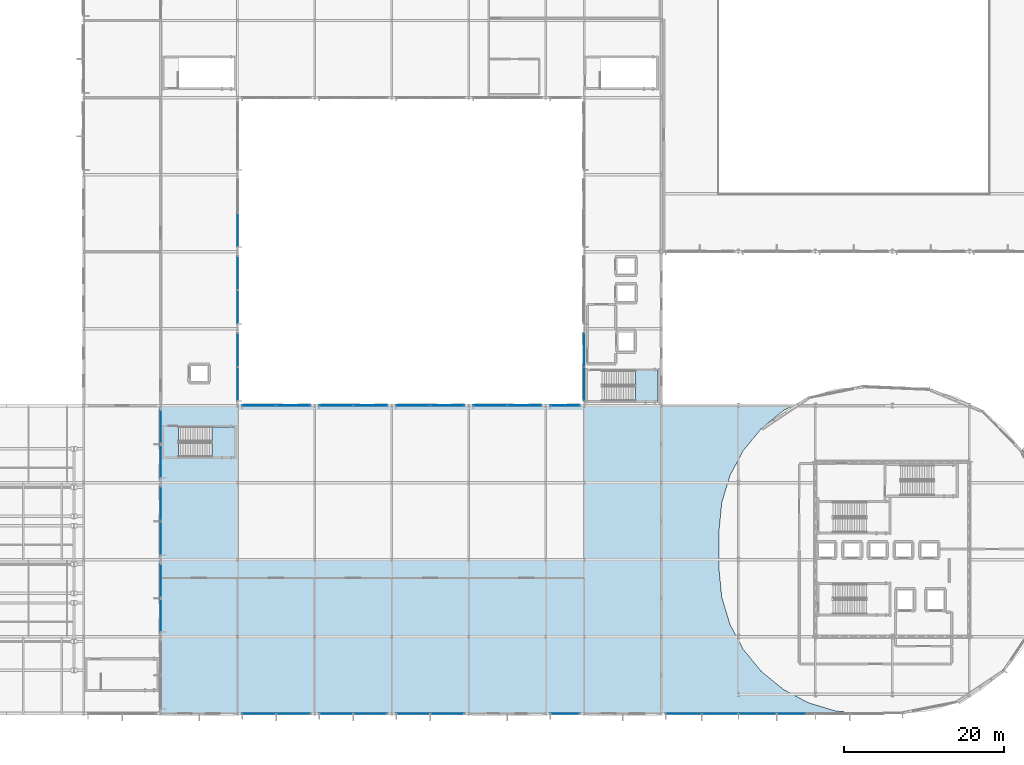
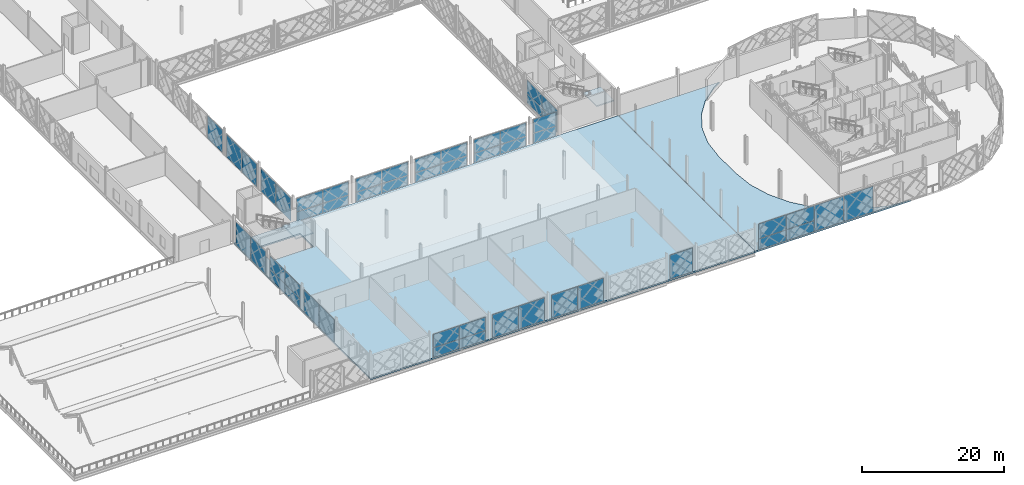
# One storey, part 41 of 77: 50 plates, 4 slabs, 20 elements without a shape of their own.
"""IFC4 building model written with IfcOpenShell, lengths in metres."""

from ifc_helpers import new_model, si_unit, direction, frame, origin, origin_2d, place, context, subcontext, project, spatial, polyline, rectangle, outline, extrude, material, layer, layer_set, type_object, element, aggregate, save


model = new_model("IFC4")

# Units and contexts
model_context = context("Model", 3, precision=1e-05, world=origin(), true_north=direction((0.0, 1.0)))
body_context = subcontext(model_context, "Body", "Model", "MODEL_VIEW")
ifc_project = project(units=[si_unit("LENGTHUNIT", "METRE"), si_unit("AREAUNIT", "SQUARE_METRE"), si_unit("VOLUMEUNIT", "CUBIC_METRE"), si_unit("PLANEANGLEUNIT", "RADIAN"), si_unit("MASSUNIT", "GRAM", prefix="KILO")], contexts=[model_context])

# Site, building, storey
site_placement = place(None, origin())
site = spatial("IfcSite", under=ifc_project, at=site_placement, CompositionType="ELEMENT")
building_placement = place(site_placement, origin())
building = spatial("IfcBuilding", under=site, at=building_placement, Name="Zevrakil Square Congress Hotel", CompositionType="ELEMENT")
storey_placement = place(building_placement, frame((0.0, 0.0, 9.89990234375)))
storey = spatial("IfcBuildingStorey", under=building, at=storey_placement, Name="L03", CompositionType="ELEMENT", Elevation=9.89990234375)

# Curtain wall, plates
ifc_material_1 = material(Name="Aluminium Anodised Bronze", Category="aluminium")
ifc_layer_1 = layer(ifc_material_1, 0.179931640625)
ifc_layer_set_1 = layer_set([ifc_layer_1], Name="Aluminium Anodised Bronze")
curtain_wall_type_1 = type_object("IfcCurtainWallType", Name="CW-L03-840", PredefinedType="USERDEFINED", material=ifc_layer_set_1)
curtain_wall_1_placement = place(storey_placement, origin())
curtain_wall_1 = element("IfcCurtainWall", 1, at=curtain_wall_1_placement, inside=storey, type_object=curtain_wall_type_1, Name="L03 diamond curtain wall CW-L03-0006", ObjectType="GLAZED CURTAIN WALL", PredefinedType="USERDEFINED")
ifc_material_2 = material(Name="Low-E Solar Control Double Glazing", Category="glass")
ifc_layer_2 = layer(ifc_material_2, 0.028076171875)
ifc_layer_set_2 = layer_set([ifc_layer_2], Name="Low-E Solar Control Double Glazing")
plate_type_1 = type_object("IfcPlateType", Name="CWP-GLAZ-28", PredefinedType="CURTAIN_PANEL", material=ifc_layer_set_2)
plate_1_placement = place(storey_placement, frame((67.47509765625, 7.199951171875, 0.06005859375), z_axis=(0.0, 0.0, 1.0), x_axis=(1.0, 0.0, 0.0)))
plate_1 = element("IfcPlate", 2, at=plate_1_placement, type_object=plate_type_1, Name="CW-35 panel 1.1", PredefinedType="CURTAIN_PANEL", context=body_context, shape_type="SweptSolid", body=[
    extrude(rectangle(XDim=4.18994140625, YDim=0.028076171875, at=origin_2d()), origin(), (0.0, 0.0, 1.0), 1.625732421875),
])
plate_2_placement = place(storey_placement, frame((71.72509765625, 7.199951171875, 1.745849609375), z_axis=(0.0, 0.0, 1.0), x_axis=(1.0, 0.0, 0.0)))
plate_2 = element("IfcPlate", 3, at=plate_2_placement, type_object=plate_type_1, Name="CW-35 panel 2.2", PredefinedType="CURTAIN_PANEL", context=body_context, shape_type="SweptSolid", body=[
    extrude(rectangle(XDim=4.18994140625, YDim=0.028076171875, at=origin_2d()), origin(), (0.0, 0.0, 1.0), 2.279296875),
])

# Curtain wall, plate
curtain_wall_2_placement = place(storey_placement, origin())
curtain_wall_2 = element("IfcCurtainWall", 4, at=curtain_wall_2_placement, inside=storey, type_object=curtain_wall_type_1, Name="L03 diamond curtain wall CW-L03-0009", ObjectType="GLAZED CURTAIN WALL", PredefinedType="USERDEFINED")
plate_3_placement = place(storey_placement, frame((86.675048828125, 7.199951171875, 0.06005859375), z_axis=(0.0, 0.0, 1.0), x_axis=(1.0, 0.0, 0.0)))
plate_3 = element("IfcPlate", 5, at=plate_3_placement, type_object=plate_type_1, Name="CW-35 panel 1.1", PredefinedType="CURTAIN_PANEL", context=body_context, shape_type="SweptSolid", body=[
    extrude(rectangle(XDim=4.18994140625, YDim=0.028076171875, at=origin_2d()), origin(), (0.0, 0.0, 1.0), 3.965087890625),
])

ifc_material_3 = material(Name="Aluminium Anodised Bronze", Category="aluminium")
ifc_layer_3 = layer(ifc_material_3, 0.179931640625)
ifc_layer_set_3 = layer_set([ifc_layer_3], Name="Aluminium Anodised Bronze")
curtain_wall_type_2 = type_object("IfcCurtainWallType", Name="CW-L03-360", PredefinedType="USERDEFINED", material=ifc_layer_set_3)
curtain_wall_3_placement = place(storey_placement, origin())
curtain_wall_3 = element("IfcCurtainWall", 6, at=curtain_wall_3_placement, inside=storey, type_object=curtain_wall_type_2, Name="L03 diamond curtain wall CW-L03-0011", ObjectType="GLAZED CURTAIN WALL", PredefinedType="USERDEFINED")
plate_4_placement = place(storey_placement, frame((105.60009765625, 7.199951171875, 0.06005859375), z_axis=(0.0, 0.0, 1.0), x_axis=(1.0, 0.0, 0.0)))
plate_4 = element("IfcPlate", 7, at=plate_4_placement, type_object=plate_type_1, Name="CW-28 panel 1.1", PredefinedType="CURTAIN_PANEL", context=body_context, shape_type="SweptSolid", body=[
    extrude(rectangle(XDim=3.639892578125, YDim=0.028076171875, at=origin_2d()), origin(), (0.0, 0.0, 1.0), 4.094970703125),
])
aggregate(curtain_wall_3, [plate_4])

# Curtain wall, plates
ifc_material_4 = material(Name="Aluminium Anodised Bronze", Category="aluminium")
ifc_layer_4 = layer(ifc_material_4, 0.179931640625)
ifc_layer_set_4 = layer_set([ifc_layer_4], Name="Aluminium Anodised Bronze")
curtain_wall_type_3 = type_object("IfcCurtainWallType", Name="CW-L03-900", PredefinedType="USERDEFINED", material=ifc_layer_set_4)
curtain_wall_4_placement = place(storey_placement, origin())
curtain_wall_4 = element("IfcCurtainWall", 8, at=curtain_wall_4_placement, inside=storey, type_object=curtain_wall_type_3, Name="L03 diamond curtain wall CW-L03-0014", ObjectType="GLAZED CURTAIN WALL", PredefinedType="USERDEFINED")
plate_5_placement = place(storey_placement, frame((120.404296875, 7.199951171875, 0.06005859375), z_axis=(0.0, 0.0, 1.0), x_axis=(1.0, 0.0, 0.0)))
plate_5 = element("IfcPlate", 9, at=plate_5_placement, type_object=plate_type_1, Name="CW-36 panel 1.1", PredefinedType="CURTAIN_PANEL", context=body_context, shape_type="SweptSolid", body=[
    extrude(rectangle(XDim=4.448486328125, YDim=0.028076171875, at=origin_2d()), origin(), (0.0, 0.0, 1.0), 1.81689453125),
])
plate_6_placement = place(storey_placement, frame((124.912841796875, 7.199951171875, 0.06005859375), z_axis=(0.0, 0.0, 1.0), x_axis=(1.0, 0.0, 0.0)))
plate_6 = element("IfcPlate", 10, at=plate_6_placement, type_object=plate_type_1, Name="CW-36 panel 2.1", PredefinedType="CURTAIN_PANEL", context=body_context, shape_type="SweptSolid", body=[
    extrude(rectangle(XDim=4.448486328125, YDim=0.028076171875, at=origin_2d()), origin(), (0.0, 0.0, 1.0), 1.81689453125),
])

# Curtain wall, plate
curtain_wall_5_placement = place(storey_placement, origin())
curtain_wall_5 = element("IfcCurtainWall", 11, at=curtain_wall_5_placement, inside=storey, type_object=curtain_wall_type_3, Name="L03 diamond curtain wall CW-L03-0015", ObjectType="GLAZED CURTAIN WALL", PredefinedType="USERDEFINED")
plate_7_placement = place(storey_placement, frame((134.383544921875, 7.199951171875, 0.06005859375), z_axis=(0.0, 0.0, 1.0), x_axis=(1.0, 0.0, 0.0)))
plate_7 = element("IfcPlate", 12, at=plate_7_placement, type_object=plate_type_1, Name="CW-36 panel 2.1", PredefinedType="CURTAIN_PANEL", context=body_context, shape_type="SweptSolid", body=[
    extrude(rectangle(XDim=4.70703125, YDim=0.028076171875, at=origin_2d()), origin(), (0.0, 0.0, 1.0), 4.419921875),
])

curtain_wall_6_placement = place(storey_placement, origin())
curtain_wall_6 = element("IfcCurtainWall", 13, at=curtain_wall_6_placement, inside=storey, type_object=curtain_wall_type_1, Name="L03 diamond curtain wall CW-L03-0033", ObjectType="GLAZED CURTAIN WALL", PredefinedType="USERDEFINED")
plate_8_placement = place(storey_placement, frame((55.199951171875, 23.72509765625, 0.06005859375), z_axis=(0.0, 0.0, 1.0), x_axis=(0.0, 1.0, 0.0)))
plate_8 = element("IfcPlate", 14, at=plate_8_placement, type_object=plate_type_1, Name="CW-35 panel 2.1", PredefinedType="CURTAIN_PANEL", context=body_context, shape_type="SweptSolid", body=[
    extrude(rectangle(XDim=4.18994140625, YDim=0.028076171875, at=origin_2d()), origin(), (0.0, 0.0, 1.0), 3.905029296875),
])

# Curtain wall, plates
curtain_wall_7_placement = place(storey_placement, origin())
curtain_wall_7 = element("IfcCurtainWall", 15, at=curtain_wall_7_placement, inside=storey, type_object=curtain_wall_type_1, Name="L03 diamond curtain wall CW-L03-0034", ObjectType="GLAZED CURTAIN WALL", PredefinedType="USERDEFINED")
plate_9_placement = place(storey_placement, frame((55.199951171875, 29.074951171875, 0.06005859375), z_axis=(0.0, 0.0, 1.0), x_axis=(0.0, 1.0, 0.0)))
plate_9 = element("IfcPlate", 16, at=plate_9_placement, type_object=plate_type_1, Name="CW-35 panel 1.1", PredefinedType="CURTAIN_PANEL", context=body_context, shape_type="SweptSolid", body=[
    extrude(rectangle(XDim=4.18994140625, YDim=0.028076171875, at=origin_2d()), origin(), (0.0, 0.0, 1.0), 1.6005859375),
])
plate_10_placement = place(storey_placement, frame((55.199951171875, 33.324951171875, 0.06005859375), z_axis=(0.0, 0.0, 1.0), x_axis=(0.0, 1.0, 0.0)))
plate_10 = element("IfcPlate", 17, at=plate_10_placement, type_object=plate_type_1, Name="CW-35 panel 2.1", PredefinedType="CURTAIN_PANEL", context=body_context, shape_type="SweptSolid", body=[
    extrude(rectangle(XDim=4.18994140625, YDim=0.028076171875, at=origin_2d()), origin(), (0.0, 0.0, 1.0), 1.6005859375),
])

# Curtain wall, plate
curtain_wall_8_placement = place(storey_placement, origin())
curtain_wall_8 = element("IfcCurtainWall", 18, at=curtain_wall_8_placement, inside=storey, type_object=curtain_wall_type_1, Name="L03 diamond curtain wall CW-L03-0035", ObjectType="GLAZED CURTAIN WALL", PredefinedType="USERDEFINED")
plate_11_placement = place(storey_placement, frame((55.199951171875, 42.925048828125, 0.06005859375), z_axis=(0.0, 0.0, 1.0), x_axis=(0.0, 1.0, 0.0)))
plate_11 = element("IfcPlate", 19, at=plate_11_placement, type_object=plate_type_1, Name="CW-35 panel 2.1", PredefinedType="CURTAIN_PANEL", context=body_context, shape_type="SweptSolid", body=[
    extrude(rectangle(XDim=4.18994140625, YDim=0.028076171875, at=origin_2d()), origin(), (0.0, 0.0, 1.0), 3.905029296875),
])

curtain_wall_9_placement = place(storey_placement, origin())
curtain_wall_9 = element("IfcCurtainWall", 20, at=curtain_wall_9_placement, inside=storey, type_object=curtain_wall_type_1, Name="L03 diamond curtain wall CW-L03-0100", ObjectType="GLAZED CURTAIN WALL", PredefinedType="USERDEFINED")
plate_12_placement = place(storey_placement, frame((67.47509765625, 45.60009765625, 1.745849609375), z_axis=(0.0, 0.0, 1.0), x_axis=(1.0, 0.0, 0.0)))
plate_12 = element("IfcPlate", 21, at=plate_12_placement, type_object=plate_type_1, Name="CW-35 panel 1.2", PredefinedType="CURTAIN_PANEL", context=body_context, shape_type="SweptSolid", body=[
    extrude(rectangle(XDim=4.18994140625, YDim=0.028076171875, at=origin_2d()), origin(), (0.0, 0.0, 1.0), 2.279296875),
])

# Curtain wall, plates
curtain_wall_10_placement = place(storey_placement, origin())
curtain_wall_10 = element("IfcCurtainWall", 22, at=curtain_wall_10_placement, inside=storey, type_object=curtain_wall_type_1, Name="L03 diamond curtain wall CW-L03-0104", ObjectType="GLAZED CURTAIN WALL", PredefinedType="USERDEFINED")
plate_13_placement = place(storey_placement, frame((77.074951171875, 45.60009765625, 0.06005859375), z_axis=(0.0, 0.0, 1.0), x_axis=(1.0, 0.0, 0.0)))
plate_13 = element("IfcPlate", 23, at=plate_13_placement, type_object=plate_type_1, Name="CW-35 panel 1.1", PredefinedType="CURTAIN_PANEL", context=body_context, shape_type="SweptSolid", body=[
    extrude(rectangle(XDim=4.18994140625, YDim=0.028076171875, at=origin_2d()), origin(), (0.0, 0.0, 1.0), 1.625732421875),
])
plate_14_placement = place(storey_placement, frame((81.324951171875, 45.60009765625, 0.06005859375), z_axis=(0.0, 0.0, 1.0), x_axis=(1.0, 0.0, 0.0)))
plate_14 = element("IfcPlate", 24, at=plate_14_placement, type_object=plate_type_1, Name="CW-35 panel 2.1", PredefinedType="CURTAIN_PANEL", context=body_context, shape_type="SweptSolid", body=[
    extrude(rectangle(XDim=4.18994140625, YDim=0.028076171875, at=origin_2d()), origin(), (0.0, 0.0, 1.0), 1.625732421875),
])

curtain_wall_11_placement = place(storey_placement, origin())
curtain_wall_11 = element("IfcCurtainWall", 25, at=curtain_wall_11_placement, inside=storey, type_object=curtain_wall_type_1, Name="L03 diamond curtain wall CW-L03-0108", ObjectType="GLAZED CURTAIN WALL", PredefinedType="USERDEFINED")
plate_15_placement = place(storey_placement, frame((86.675048828125, 45.60009765625, 1.745849609375), z_axis=(0.0, 0.0, 1.0), x_axis=(1.0, 0.0, 0.0)))
plate_15 = element("IfcPlate", 26, at=plate_15_placement, type_object=plate_type_1, Name="CW-35 panel 1.2", PredefinedType="CURTAIN_PANEL", context=body_context, shape_type="SweptSolid", body=[
    extrude(rectangle(XDim=4.18994140625, YDim=0.028076171875, at=origin_2d()), origin(), (0.0, 0.0, 1.0), 2.279296875),
])
plate_16_placement = place(storey_placement, frame((90.925048828125, 45.60009765625, 1.745849609375), z_axis=(0.0, 0.0, 1.0), x_axis=(1.0, 0.0, 0.0)))
plate_16 = element("IfcPlate", 27, at=plate_16_placement, type_object=plate_type_1, Name="CW-35 panel 2.2", PredefinedType="CURTAIN_PANEL", context=body_context, shape_type="SweptSolid", body=[
    extrude(rectangle(XDim=4.18994140625, YDim=0.028076171875, at=origin_2d()), origin(), (0.0, 0.0, 1.0), 2.279296875),
])

# Curtain wall, plate
curtain_wall_12_placement = place(storey_placement, origin())
curtain_wall_12 = element("IfcCurtainWall", 28, at=curtain_wall_12_placement, inside=storey, type_object=curtain_wall_type_1, Name="L03 diamond curtain wall CW-L03-0112", ObjectType="GLAZED CURTAIN WALL", PredefinedType="USERDEFINED")
plate_17_placement = place(storey_placement, frame((100.52490234375, 45.60009765625, 0.06005859375), z_axis=(0.0, 0.0, 1.0), x_axis=(1.0, 0.0, 0.0)))
plate_17 = element("IfcPlate", 29, at=plate_17_placement, type_object=plate_type_1, Name="CW-35 panel 2.1", PredefinedType="CURTAIN_PANEL", context=body_context, shape_type="SweptSolid", body=[
    extrude(rectangle(XDim=4.18994140625, YDim=0.028076171875, at=origin_2d()), origin(), (0.0, 0.0, 1.0), 1.625732421875),
])

curtain_wall_13_placement = place(storey_placement, origin())
curtain_wall_13 = element("IfcCurtainWall", 30, at=curtain_wall_13_placement, inside=storey, type_object=curtain_wall_type_2, Name="L03 diamond curtain wall CW-L03-0116", ObjectType="GLAZED CURTAIN WALL", PredefinedType="USERDEFINED")
plate_18_placement = place(storey_placement, frame((105.60009765625, 45.60009765625, 0.06005859375), z_axis=(0.0, 0.0, 1.0), x_axis=(1.0, 0.0, 0.0)))
plate_18 = element("IfcPlate", 31, at=plate_18_placement, type_object=plate_type_1, Name="CW-28 panel 1.1", PredefinedType="CURTAIN_PANEL", context=body_context, shape_type="SweptSolid", body=[
    extrude(rectangle(XDim=3.639892578125, YDim=0.028076171875, at=origin_2d()), origin(), (0.0, 0.0, 1.0), 1.680419921875),
])

curtain_wall_14_placement = place(storey_placement, origin())
curtain_wall_14 = element("IfcCurtainWall", 32, at=curtain_wall_14_placement, inside=storey, type_object=curtain_wall_type_1, Name="L03 diamond curtain wall CW-L03-0121", ObjectType="GLAZED CURTAIN WALL", PredefinedType="USERDEFINED")
plate_19_placement = place(storey_placement, frame((64.800048828125, 48.27490234375, 0.06005859375), z_axis=(0.0, 0.0, 1.0), x_axis=(0.0, 1.0, 0.0)))
plate_19 = element("IfcPlate", 33, at=plate_19_placement, type_object=plate_type_1, Name="CW-35 panel 1.1", PredefinedType="CURTAIN_PANEL", context=body_context, shape_type="SweptSolid", body=[
    extrude(rectangle(XDim=4.18994140625, YDim=0.028076171875, at=origin_2d()), origin(), (0.0, 0.0, 1.0), 3.905029296875),
])

# Curtain wall, plates
curtain_wall_15_placement = place(storey_placement, origin())
curtain_wall_15 = element("IfcCurtainWall", 34, at=curtain_wall_15_placement, inside=storey, type_object=curtain_wall_type_1, Name="L03 diamond curtain wall CW-L03-0124", ObjectType="GLAZED CURTAIN WALL", PredefinedType="USERDEFINED")
plate_20_placement = place(storey_placement, frame((108.0, 48.27490234375, 0.06005859375), z_axis=(0.0, 0.0, 1.0), x_axis=(0.0, 1.0, 0.0)))
plate_20 = element("IfcPlate", 35, at=plate_20_placement, type_object=plate_type_1, Name="CW-35 panel 1.1", PredefinedType="CURTAIN_PANEL", context=body_context, shape_type="SweptSolid", body=[
    extrude(rectangle(XDim=4.18994140625, YDim=0.028076171875, at=origin_2d()), origin(), (0.0, 0.0, 1.0), 1.6005859375),
])
plate_21_placement = place(storey_placement, frame((108.0, 52.52490234375, 0.06005859375), z_axis=(0.0, 0.0, 1.0), x_axis=(0.0, 1.0, 0.0)))
plate_21 = element("IfcPlate", 36, at=plate_21_placement, type_object=plate_type_1, Name="CW-35 panel 2.1", PredefinedType="CURTAIN_PANEL", context=body_context, shape_type="SweptSolid", body=[
    extrude(rectangle(XDim=4.18994140625, YDim=0.028076171875, at=origin_2d()), origin(), (0.0, 0.0, 1.0), 1.6005859375),
])

# Plate
ifc_material_5 = material(Name="Basalt Grey Ribbed GRC Panel", Category="masonry")
ifc_layer_5 = layer(ifc_material_5, 0.0439453125)
ifc_layer_set_5 = layer_set([ifc_layer_5], Name="Basalt Grey Ribbed GRC Panel")
plate_type_2 = type_object("IfcPlateType", Name="CWP-GRCG-44", PredefinedType="CURTAIN_PANEL", material=ifc_layer_set_5)
plate_22_placement = place(storey_placement, frame((71.72509765625, 7.199951171875, 0.06005859375), z_axis=(0.0, 0.0, 1.0), x_axis=(1.0, 0.0, 0.0)))
plate_22 = element("IfcPlate", 37, at=plate_22_placement, type_object=plate_type_2, Name="CW-35 panel 2.1", PredefinedType="CURTAIN_PANEL", context=body_context, shape_type="SweptSolid", body=[
    extrude(rectangle(XDim=4.18994140625, YDim=0.028076171875, at=origin_2d()), origin(), (0.0, 0.0, 1.0), 1.625732421875),
])

# Curtain wall, plate
curtain_wall_16_placement = place(storey_placement, origin())
curtain_wall_16 = element("IfcCurtainWall", 38, at=curtain_wall_16_placement, inside=storey, type_object=curtain_wall_type_1, Name="L03 diamond curtain wall CW-L03-0007", ObjectType="GLAZED CURTAIN WALL", PredefinedType="USERDEFINED")
plate_23_placement = place(storey_placement, frame((81.324951171875, 7.199951171875, 0.06005859375), z_axis=(0.0, 0.0, 1.0), x_axis=(1.0, 0.0, 0.0)))
plate_23 = element("IfcPlate", 39, at=plate_23_placement, type_object=plate_type_2, Name="CW-35 panel 2.1", PredefinedType="CURTAIN_PANEL", context=body_context, shape_type="SweptSolid", body=[
    extrude(rectangle(XDim=4.18994140625, YDim=0.028076171875, at=origin_2d()), origin(), (0.0, 0.0, 1.0), 3.965087890625),
])

# Plate
plate_24_placement = place(storey_placement, frame((55.199951171875, 19.47509765625, 0.06005859375), z_axis=(0.0, 0.0, 1.0), x_axis=(0.0, 1.0, 0.0)))
plate_24 = element("IfcPlate", 40, at=plate_24_placement, type_object=plate_type_2, Name="CW-35 panel 1.1", PredefinedType="CURTAIN_PANEL", context=body_context, shape_type="SweptSolid", body=[
    extrude(rectangle(XDim=4.18994140625, YDim=0.028076171875, at=origin_2d()), origin(), (0.0, 0.0, 1.0), 3.905029296875),
])

aggregate(curtain_wall_6, [plate_24, plate_8])

plate_25_placement = place(storey_placement, frame((71.72509765625, 45.60009765625, 1.745849609375), z_axis=(0.0, 0.0, 1.0), x_axis=(1.0, 0.0, 0.0)))
plate_25 = element("IfcPlate", 41, at=plate_25_placement, type_object=plate_type_2, Name="CW-35 panel 2.2", PredefinedType="CURTAIN_PANEL", context=body_context, shape_type="SweptSolid", body=[
    extrude(rectangle(XDim=4.18994140625, YDim=0.028076171875, at=origin_2d()), origin(), (0.0, 0.0, 1.0), 2.279296875),
])

plate_26_placement = place(storey_placement, frame((86.675048828125, 45.60009765625, 0.06005859375), z_axis=(0.0, 0.0, 1.0), x_axis=(1.0, 0.0, 0.0)))
plate_26 = element("IfcPlate", 42, at=plate_26_placement, type_object=plate_type_2, Name="CW-35 panel 1.1", PredefinedType="CURTAIN_PANEL", context=body_context, shape_type="SweptSolid", body=[
    extrude(rectangle(XDim=4.18994140625, YDim=0.028076171875, at=origin_2d()), origin(), (0.0, 0.0, 1.0), 1.625732421875),
])

plate_27_placement = place(storey_placement, frame((96.27490234375, 45.60009765625, 1.745849609375), z_axis=(0.0, 0.0, 1.0), x_axis=(1.0, 0.0, 0.0)))
plate_27 = element("IfcPlate", 43, at=plate_27_placement, type_object=plate_type_2, Name="CW-35 panel 1.2", PredefinedType="CURTAIN_PANEL", context=body_context, shape_type="SweptSolid", body=[
    extrude(rectangle(XDim=4.18994140625, YDim=0.028076171875, at=origin_2d()), origin(), (0.0, 0.0, 1.0), 2.279296875),
])

# Curtain wall, plate
curtain_wall_17_placement = place(storey_placement, origin())
curtain_wall_17 = element("IfcCurtainWall", 44, at=curtain_wall_17_placement, inside=storey, type_object=curtain_wall_type_1, Name="L03 diamond curtain wall CW-L03-0127", ObjectType="GLAZED CURTAIN WALL", PredefinedType="USERDEFINED")
plate_28_placement = place(storey_placement, frame((64.800048828125, 62.125, 0.06005859375), z_axis=(0.0, 0.0, 1.0), x_axis=(0.0, 1.0, 0.0)))
plate_28 = element("IfcPlate", 45, at=plate_28_placement, type_object=plate_type_2, Name="CW-35 panel 2.1", PredefinedType="CURTAIN_PANEL", context=body_context, shape_type="SweptSolid", body=[
    extrude(rectangle(XDim=4.18994140625, YDim=0.028076171875, at=origin_2d()), origin(), (0.0, 0.0, 1.0), 3.905029296875),
])

curtain_wall_18_placement = place(storey_placement, origin())
curtain_wall_18 = element("IfcCurtainWall", 46, at=curtain_wall_18_placement, inside=storey, type_object=curtain_wall_type_1, Name="L03 diamond curtain wall CW-L03-0133", ObjectType="GLAZED CURTAIN WALL", PredefinedType="USERDEFINED")
plate_29_placement = place(storey_placement, frame((64.800048828125, 67.47509765625, 0.06005859375), z_axis=(0.0, 0.0, 1.0), x_axis=(0.0, 1.0, 0.0)))
plate_29 = element("IfcPlate", 47, at=plate_29_placement, type_object=plate_type_2, Name="CW-35 panel 1.1", PredefinedType="CURTAIN_PANEL", context=body_context, shape_type="SweptSolid", body=[
    extrude(rectangle(XDim=4.18994140625, YDim=0.028076171875, at=origin_2d()), origin(), (0.0, 0.0, 1.0), 3.905029296875),
])
aggregate(curtain_wall_18, [plate_29])

# Plate
ifc_material_6 = material(Name="White Ribbed Highland GRC Panel", Category="concrete")
ifc_layer_6 = layer(ifc_material_6, 0.0400390625)
ifc_layer_set_6 = layer_set([ifc_layer_6], Name="White Ribbed Highland GRC Panel")
plate_type_3 = type_object("IfcPlateType", Name="CWP-GRCW-40", PredefinedType="CURTAIN_PANEL", material=ifc_layer_set_6)
plate_30_placement = place(storey_placement, frame((67.47509765625, 7.199951171875, 1.745849609375), z_axis=(0.0, 0.0, 1.0), x_axis=(1.0, 0.0, 0.0)))
plate_30 = element("IfcPlate", 48, at=plate_30_placement, type_object=plate_type_3, Name="CW-35 panel 1.2", PredefinedType="CURTAIN_PANEL", context=body_context, shape_type="SweptSolid", body=[
    extrude(rectangle(XDim=4.18994140625, YDim=0.028076171875, at=origin_2d()), origin(), (0.0, 0.0, 1.0), 2.279296875),
])

aggregate(curtain_wall_1, [plate_1, plate_30, plate_22, plate_2])

plate_31_placement = place(storey_placement, frame((77.074951171875, 7.199951171875, 0.06005859375), z_axis=(0.0, 0.0, 1.0), x_axis=(1.0, 0.0, 0.0)))
plate_31 = element("IfcPlate", 49, at=plate_31_placement, type_object=plate_type_3, Name="CW-35 panel 1.1", PredefinedType="CURTAIN_PANEL", context=body_context, shape_type="SweptSolid", body=[
    extrude(rectangle(XDim=4.18994140625, YDim=0.028076171875, at=origin_2d()), origin(), (0.0, 0.0, 1.0), 3.965087890625),
])

aggregate(curtain_wall_16, [plate_31, plate_23])

plate_32_placement = place(storey_placement, frame((90.925048828125, 7.199951171875, 0.06005859375), z_axis=(0.0, 0.0, 1.0), x_axis=(1.0, 0.0, 0.0)))
plate_32 = element("IfcPlate", 50, at=plate_32_placement, type_object=plate_type_3, Name="CW-35 panel 2.1", PredefinedType="CURTAIN_PANEL", context=body_context, shape_type="SweptSolid", body=[
    extrude(rectangle(XDim=4.18994140625, YDim=0.028076171875, at=origin_2d()), origin(), (0.0, 0.0, 1.0), 3.965087890625),
])

aggregate(curtain_wall_2, [plate_3, plate_32])

plate_33_placement = place(storey_placement, frame((120.404296875, 7.199951171875, 1.93701171875), z_axis=(0.0, 0.0, 1.0), x_axis=(1.0, 0.0, 0.0)))
plate_33 = element("IfcPlate", 51, at=plate_33_placement, type_object=plate_type_3, Name="CW-36 panel 1.2", PredefinedType="CURTAIN_PANEL", context=body_context, shape_type="SweptSolid", body=[
    extrude(rectangle(XDim=4.448486328125, YDim=0.028076171875, at=origin_2d()), origin(), (0.0, 0.0, 1.0), 2.543212890625),
])

plate_34_placement = place(storey_placement, frame((124.912841796875, 7.199951171875, 1.93701171875), z_axis=(0.0, 0.0, 1.0), x_axis=(1.0, 0.0, 0.0)))
plate_34 = element("IfcPlate", 52, at=plate_34_placement, type_object=plate_type_3, Name="CW-36 panel 2.2", PredefinedType="CURTAIN_PANEL", context=body_context, shape_type="SweptSolid", body=[
    extrude(rectangle(XDim=4.448486328125, YDim=0.028076171875, at=origin_2d()), origin(), (0.0, 0.0, 1.0), 2.543212890625),
])

aggregate(curtain_wall_4, [plate_5, plate_33, plate_6, plate_34])

plate_35_placement = place(storey_placement, frame((129.616455078125, 7.199951171875, 0.06005859375), z_axis=(0.0, 0.0, 1.0), x_axis=(1.0, 0.0, 0.0)))
plate_35 = element("IfcPlate", 53, at=plate_35_placement, type_object=plate_type_3, Name="CW-36 panel 1.1", PredefinedType="CURTAIN_PANEL", context=body_context, shape_type="SweptSolid", body=[
    extrude(rectangle(XDim=4.70703125, YDim=0.028076171875, at=origin_2d()), origin(), (0.0, 0.0, 1.0), 4.419921875),
])

aggregate(curtain_wall_5, [plate_35, plate_7])

plate_36_placement = place(storey_placement, frame((55.199951171875, 29.074951171875, 1.720703125), z_axis=(0.0, 0.0, 1.0), x_axis=(0.0, 1.0, 0.0)))
plate_36 = element("IfcPlate", 54, at=plate_36_placement, type_object=plate_type_3, Name="CW-35 panel 1.2", PredefinedType="CURTAIN_PANEL", context=body_context, shape_type="SweptSolid", body=[
    extrude(rectangle(XDim=4.18994140625, YDim=0.028076171875, at=origin_2d()), origin(), (0.0, 0.0, 1.0), 2.244384765625),
])

plate_37_placement = place(storey_placement, frame((55.199951171875, 33.324951171875, 1.720703125), z_axis=(0.0, 0.0, 1.0), x_axis=(0.0, 1.0, 0.0)))
plate_37 = element("IfcPlate", 55, at=plate_37_placement, type_object=plate_type_3, Name="CW-35 panel 2.2", PredefinedType="CURTAIN_PANEL", context=body_context, shape_type="SweptSolid", body=[
    extrude(rectangle(XDim=4.18994140625, YDim=0.028076171875, at=origin_2d()), origin(), (0.0, 0.0, 1.0), 2.244384765625),
])

aggregate(curtain_wall_7, [plate_9, plate_36, plate_10, plate_37])

plate_38_placement = place(storey_placement, frame((55.199951171875, 38.675048828125, 0.06005859375), z_axis=(0.0, 0.0, 1.0), x_axis=(0.0, 1.0, 0.0)))
plate_38 = element("IfcPlate", 56, at=plate_38_placement, type_object=plate_type_3, Name="CW-35 panel 1.1", PredefinedType="CURTAIN_PANEL", context=body_context, shape_type="SweptSolid", body=[
    extrude(rectangle(XDim=4.18994140625, YDim=0.028076171875, at=origin_2d()), origin(), (0.0, 0.0, 1.0), 3.905029296875),
])

aggregate(curtain_wall_8, [plate_38, plate_11])

plate_39_placement = place(storey_placement, frame((67.47509765625, 45.60009765625, 0.06005859375), z_axis=(0.0, 0.0, 1.0), x_axis=(1.0, 0.0, 0.0)))
plate_39 = element("IfcPlate", 57, at=plate_39_placement, type_object=plate_type_3, Name="CW-35 panel 1.1", PredefinedType="CURTAIN_PANEL", context=body_context, shape_type="SweptSolid", body=[
    extrude(rectangle(XDim=4.18994140625, YDim=0.028076171875, at=origin_2d()), origin(), (0.0, 0.0, 1.0), 1.625732421875),
])

plate_40_placement = place(storey_placement, frame((71.72509765625, 45.60009765625, 0.06005859375), z_axis=(0.0, 0.0, 1.0), x_axis=(1.0, 0.0, 0.0)))
plate_40 = element("IfcPlate", 58, at=plate_40_placement, type_object=plate_type_3, Name="CW-35 panel 2.1", PredefinedType="CURTAIN_PANEL", context=body_context, shape_type="SweptSolid", body=[
    extrude(rectangle(XDim=4.18994140625, YDim=0.028076171875, at=origin_2d()), origin(), (0.0, 0.0, 1.0), 1.625732421875),
])

aggregate(curtain_wall_9, [plate_39, plate_12, plate_40, plate_25])

plate_41_placement = place(storey_placement, frame((77.074951171875, 45.60009765625, 1.745849609375), z_axis=(0.0, 0.0, 1.0), x_axis=(1.0, 0.0, 0.0)))
plate_41 = element("IfcPlate", 59, at=plate_41_placement, type_object=plate_type_3, Name="CW-35 panel 1.2", PredefinedType="CURTAIN_PANEL", context=body_context, shape_type="SweptSolid", body=[
    extrude(rectangle(XDim=4.18994140625, YDim=0.028076171875, at=origin_2d()), origin(), (0.0, 0.0, 1.0), 2.279296875),
])

plate_42_placement = place(storey_placement, frame((81.324951171875, 45.60009765625, 1.745849609375), z_axis=(0.0, 0.0, 1.0), x_axis=(1.0, 0.0, 0.0)))
plate_42 = element("IfcPlate", 60, at=plate_42_placement, type_object=plate_type_3, Name="CW-35 panel 2.2", PredefinedType="CURTAIN_PANEL", context=body_context, shape_type="SweptSolid", body=[
    extrude(rectangle(XDim=4.18994140625, YDim=0.028076171875, at=origin_2d()), origin(), (0.0, 0.0, 1.0), 2.279296875),
])

aggregate(curtain_wall_10, [plate_13, plate_41, plate_14, plate_42])

plate_43_placement = place(storey_placement, frame((90.925048828125, 45.60009765625, 0.06005859375), z_axis=(0.0, 0.0, 1.0), x_axis=(1.0, 0.0, 0.0)))
plate_43 = element("IfcPlate", 61, at=plate_43_placement, type_object=plate_type_3, Name="CW-35 panel 2.1", PredefinedType="CURTAIN_PANEL", context=body_context, shape_type="SweptSolid", body=[
    extrude(rectangle(XDim=4.18994140625, YDim=0.028076171875, at=origin_2d()), origin(), (0.0, 0.0, 1.0), 1.625732421875),
])

aggregate(curtain_wall_11, [plate_26, plate_15, plate_43, plate_16])

plate_44_placement = place(storey_placement, frame((96.27490234375, 45.60009765625, 0.06005859375), z_axis=(0.0, 0.0, 1.0), x_axis=(1.0, 0.0, 0.0)))
plate_44 = element("IfcPlate", 62, at=plate_44_placement, type_object=plate_type_3, Name="CW-35 panel 1.1", PredefinedType="CURTAIN_PANEL", context=body_context, shape_type="SweptSolid", body=[
    extrude(rectangle(XDim=4.18994140625, YDim=0.028076171875, at=origin_2d()), origin(), (0.0, 0.0, 1.0), 1.625732421875),
])

plate_45_placement = place(storey_placement, frame((100.52490234375, 45.60009765625, 1.745849609375), z_axis=(0.0, 0.0, 1.0), x_axis=(1.0, 0.0, 0.0)))
plate_45 = element("IfcPlate", 63, at=plate_45_placement, type_object=plate_type_3, Name="CW-35 panel 2.2", PredefinedType="CURTAIN_PANEL", context=body_context, shape_type="SweptSolid", body=[
    extrude(rectangle(XDim=4.18994140625, YDim=0.028076171875, at=origin_2d()), origin(), (0.0, 0.0, 1.0), 2.279296875),
])

aggregate(curtain_wall_12, [plate_44, plate_27, plate_17, plate_45])

plate_46_placement = place(storey_placement, frame((105.60009765625, 45.60009765625, 1.80029296875), z_axis=(0.0, 0.0, 1.0), x_axis=(1.0, 0.0, 0.0)))
plate_46 = element("IfcPlate", 64, at=plate_46_placement, type_object=plate_type_3, Name="CW-28 panel 1.2", PredefinedType="CURTAIN_PANEL", context=body_context, shape_type="SweptSolid", body=[
    extrude(rectangle(XDim=3.639892578125, YDim=0.028076171875, at=origin_2d()), origin(), (0.0, 0.0, 1.0), 2.354736328125),
])

aggregate(curtain_wall_13, [plate_18, plate_46])

plate_47_placement = place(storey_placement, frame((64.800048828125, 52.52490234375, 0.06005859375), z_axis=(0.0, 0.0, 1.0), x_axis=(0.0, 1.0, 0.0)))
plate_47 = element("IfcPlate", 65, at=plate_47_placement, type_object=plate_type_3, Name="CW-35 panel 2.1", PredefinedType="CURTAIN_PANEL", context=body_context, shape_type="SweptSolid", body=[
    extrude(rectangle(XDim=4.18994140625, YDim=0.028076171875, at=origin_2d()), origin(), (0.0, 0.0, 1.0), 3.905029296875),
])

aggregate(curtain_wall_14, [plate_19, plate_47])

plate_48_placement = place(storey_placement, frame((108.0, 48.27490234375, 1.720703125), z_axis=(0.0, 0.0, 1.0), x_axis=(0.0, 1.0, 0.0)))
plate_48 = element("IfcPlate", 66, at=plate_48_placement, type_object=plate_type_3, Name="CW-35 panel 1.2", PredefinedType="CURTAIN_PANEL", context=body_context, shape_type="SweptSolid", body=[
    extrude(rectangle(XDim=4.18994140625, YDim=0.028076171875, at=origin_2d()), origin(), (0.0, 0.0, 1.0), 2.244384765625),
])

plate_49_placement = place(storey_placement, frame((108.0, 52.52490234375, 1.720703125), z_axis=(0.0, 0.0, 1.0), x_axis=(0.0, 1.0, 0.0)))
plate_49 = element("IfcPlate", 67, at=plate_49_placement, type_object=plate_type_3, Name="CW-35 panel 2.2", PredefinedType="CURTAIN_PANEL", context=body_context, shape_type="SweptSolid", body=[
    extrude(rectangle(XDim=4.18994140625, YDim=0.028076171875, at=origin_2d()), origin(), (0.0, 0.0, 1.0), 2.244384765625),
])

aggregate(curtain_wall_15, [plate_20, plate_48, plate_21, plate_49])

plate_50_placement = place(storey_placement, frame((64.800048828125, 57.875, 0.06005859375), z_axis=(0.0, 0.0, 1.0), x_axis=(0.0, 1.0, 0.0)))
plate_50 = element("IfcPlate", 68, at=plate_50_placement, type_object=plate_type_3, Name="CW-35 panel 1.1", PredefinedType="CURTAIN_PANEL", context=body_context, shape_type="SweptSolid", body=[
    extrude(rectangle(XDim=4.18994140625, YDim=0.028076171875, at=origin_2d()), origin(), (0.0, 0.0, 1.0), 3.905029296875),
])

aggregate(curtain_wall_17, [plate_50, plate_28])

# Slabs
ifc_material_7 = material(Name="Concrete C35/45", Category="concrete")
ifc_layer_7 = layer(ifc_material_7, 0.2548828125)
ifc_layer_set_7 = layer_set([ifc_layer_7], Name="Concrete C35/45")
slab_type_1 = type_object("IfcSlabType", Name="SLB-L03-200", PredefinedType="FLOOR", material=ifc_layer_set_7)
slab_1_placement = place(storey_placement, frame((0.0, 0.0, -0.2548828125)))
element("IfcSlab", 69, at=slab_1_placement, inside=storey, type_object=slab_type_1, Name="L03 south diplomatic conference floor slab (M joint block)", PredefinedType="FLOOR", context=body_context, shape_type="SweptSolid", body=[
    extrude(outline(polyline([(117.574951171875, 45.60009765625), (117.574951171875, 7.199951171875), (55.22509765625, 7.199951171875), (55.22509765625, 45.60009765625), (117.574951171875, 45.60009765625)]), holes=[polyline([(57.445068359375, 39.199951171875), (64.39990234375, 39.199951171875), (64.39990234375, 42.949951171875), (57.445068359375, 42.949951171875), (57.445068359375, 39.199951171875)])]), origin(), (0.0, 0.0, 1.0), 0.2548828125),
])
slab_2_placement = place(storey_placement, frame((0.0, 0.0, -0.2548828125)))
element("IfcSlab", 70, at=slab_2_placement, inside=storey, type_object=slab_type_1, Name="L03 south diplomatic conference floor slab (E joint block)", PredefinedType="FLOOR", context=body_context, shape_type="SweptSolid", body=[
    extrude(outline(polyline([(133.985107421875, 45.60009765625), (132.7998046875, 44.966552734375), (130.072021484375, 42.727783203125), (127.83349609375, 40.000244140625), (126.170166015625, 36.88818359375), (125.14599609375, 33.51171875), (124.800048828125, 30.0), (124.800048828125, 25.199951171875), (125.14599609375, 21.6884765625), (126.170166015625, 18.311767578125), (127.83349609375, 15.19970703125), (130.072021484375, 12.47216796875), (132.7998046875, 10.2333984375), (135.91162109375, 8.5703125), (139.288330078125, 7.5458984375), (142.800048828125, 7.199951171875), (117.625, 7.199951171875), (117.625, 45.60009765625), (133.985107421875, 45.60009765625)])), origin(), (0.0, 0.0, 1.0), 0.2548828125),
])

# Stair, slab
ifc_material_8 = material(Name="Concrete C35/45", Category="concrete")
stair_type = type_object("IfcStairType", Name="STR-DOGLEG-180", PredefinedType="HALF_TURN_STAIR", material=ifc_material_8)
stair_1_placement = place(storey_placement, origin())
stair_1 = element("IfcStair", 71, at=stair_1_placement, inside=storey, type_object=stair_type, Name="L03 Protected exit stair ST04", PredefinedType="HALF_TURN_STAIR")
ifc_material_9 = material(Name="Concrete C35/45", Category="concrete")
ifc_layer_8 = layer(ifc_material_9, 0.199951171875)
ifc_layer_set_8 = layer_set([ifc_layer_8], Name="Concrete C35/45")
slab_type_2 = type_object("IfcSlabType", Name="SLB-STAIR-LAND-200", PredefinedType="LANDING", material=ifc_layer_set_8)
slab_3_placement = place(storey_placement, frame((0.0, 0.0, 2.2001953125)))
slab_3 = element("IfcSlab", 72, at=slab_3_placement, type_object=slab_type_2, Name="ST04 landing 1", PredefinedType="LANDING", context=body_context, shape_type="SweptSolid", body=[
    extrude(outline(polyline([(61.60009765625, 39.199951171875), (64.39990234375, 39.199951171875), (64.39990234375, 42.949951171875), (61.60009765625, 42.949951171875), (61.60009765625, 39.199951171875)])), origin(), (0.0, 0.0, 1.0), 0.199951171875),
])
aggregate(stair_1, [slab_3])

stair_2_placement = place(storey_placement, origin())
stair_2 = element("IfcStair", 73, at=stair_2_placement, inside=storey, type_object=stair_type, Name="L03 Protected exit stair ST07", PredefinedType="HALF_TURN_STAIR")
slab_4_placement = place(storey_placement, frame((0.0, 0.0, 2.2001953125)))
slab_4 = element("IfcSlab", 74, at=slab_4_placement, type_object=slab_type_2, Name="ST07 landing 1", PredefinedType="LANDING", context=body_context, shape_type="SweptSolid", body=[
    extrude(outline(polyline([(114.39990234375, 46.199951171875), (117.199951171875, 46.199951171875), (117.199951171875, 49.949951171875), (114.39990234375, 49.949951171875), (114.39990234375, 46.199951171875)])), origin(), (0.0, 0.0, 1.0), 0.199951171875),
])
aggregate(stair_2, [slab_4])

save(model, "model.ifc")
